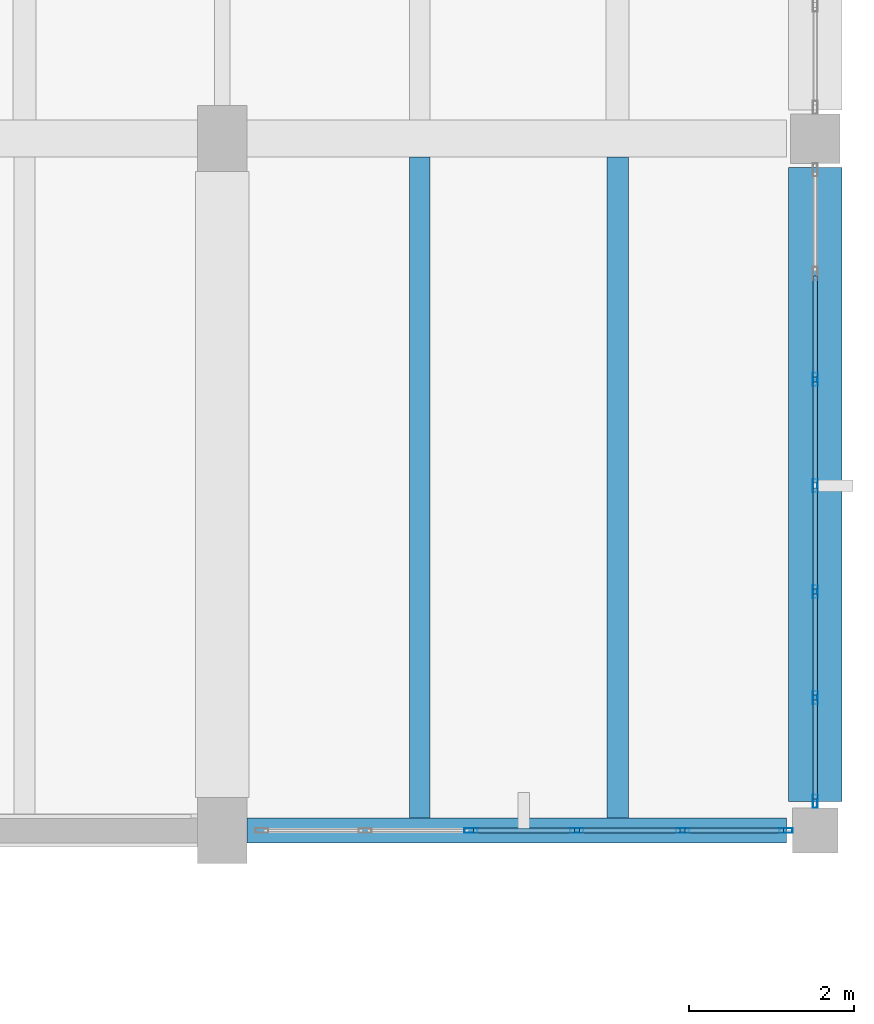
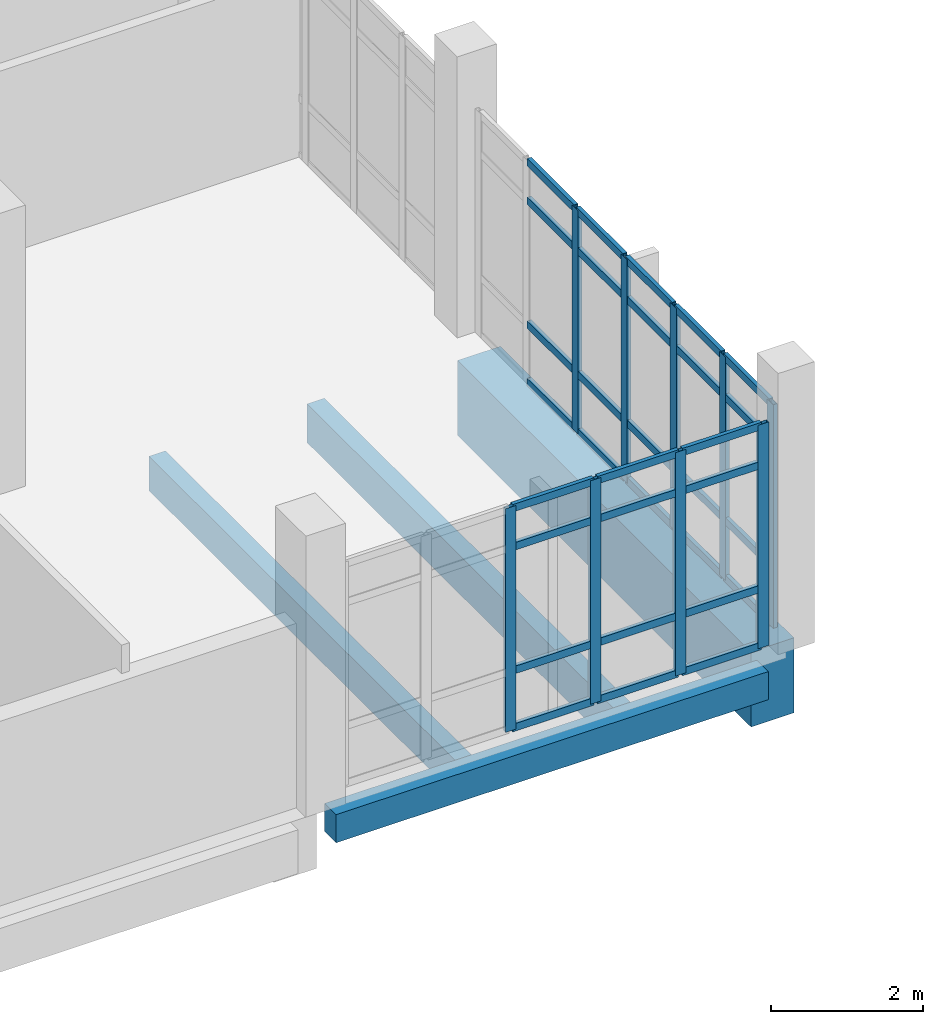
# One storey, part 72 of 116: 41 members, 4 beams, 2 elements without a shape of their own.
"""IFC4 building model written with IfcOpenShell, lengths in metres."""

from ifc_helpers import new_model, si_unit, direction, frame, origin, origin_2d, place, context, subcontext, project, spatial, rectangle, hollow_rectangle, extrude, material, material_profile, profile_set, type_object, element, aggregate, save


model = new_model("IFC4")

# Units and contexts
model_context = context("Model", 3, precision=1e-05, world=origin(), true_north=direction((0.0, 1.0)))
body_context = subcontext(model_context, "Body", "Model", "MODEL_VIEW")
ifc_project = project(units=[si_unit("LENGTHUNIT", "METRE"), si_unit("AREAUNIT", "SQUARE_METRE"), si_unit("VOLUMEUNIT", "CUBIC_METRE"), si_unit("PLANEANGLEUNIT", "RADIAN"), si_unit("MASSUNIT", "GRAM", prefix="KILO")], contexts=[model_context])

# Site, building, storey
site_placement = place(None, origin())
site = spatial("IfcSite", under=ifc_project, at=site_placement, CompositionType="ELEMENT")
building_placement = place(site_placement, origin())
building = spatial("IfcBuilding", under=site, at=building_placement, Name="Kalluvel Institute of Natural Sciences", CompositionType="ELEMENT")
storey_placement = place(building_placement, frame((0.0, 0.0, 14.39990234375)))
storey = spatial("IfcBuildingStorey", under=building, at=storey_placement, Name="L03", CompositionType="ELEMENT", Elevation=14.39990234375)

# Beam
ifc_material_1 = material(Name="Concrete M50", Category="concrete")
ifc_material_profile_1 = material_profile(ifc_material_1, rectangle(XDim=0.64990234375, YDim=1.199951171875, at=origin_2d()), Name="RCB 650x1200")
ifc_profile_set_1 = profile_set([ifc_material_profile_1], Name="Concrete M50")
beam_type_1 = type_object("IfcBeamType", Name="BM-RC650x1200", PredefinedType="BEAM", material=ifc_profile_set_1)
beam_1_placement = place(storey_placement, frame((114.800048828125, 103.14990234375, -0.919921875), z_axis=(0.0, 1.0, 0.0), x_axis=(-1.0, 0.0, 0.0)))
element("IfcBeam", 1, at=beam_1_placement, inside=storey, type_object=beam_type_1, Name="L03 girder GIR-L03-NS-X1148-Y1028", PredefinedType="BEAM", context=body_context, shape_type="SweptSolid", body=[
    extrude(rectangle(XDim=0.64990234375, YDim=1.199951171875, at=origin_2d()), origin(), (0.0, 0.0, 1.0), 7.7001953125),
])

# Curtain wall, members
ifc_material_2 = material(Name="Aluminium AW-6063 T6", Category="aluminium")
curtain_wall_type = type_object("IfcCurtainWallType", Name="CW-WET-45", PredefinedType="USERDEFINED", material=ifc_material_2)
curtain_wall_1_placement = place(storey_placement, origin())
curtain_wall_1 = element("IfcCurtainWall", 2, at=curtain_wall_1_placement, inside=storey, type_object=curtain_wall_type, Name="L03 Gothic lancet curtain wall CWA-L03-X1080-Y1028", ObjectType="UNITISED LANCET FACADE", PredefinedType="USERDEFINED")
ifc_material_profile_2 = material_profile(ifc_material_2, hollow_rectangle(XDim=0.06005859375, YDim=0.159912109375, WallThickness=0.00390625, at=origin_2d()), Name="CWM 60x160")
ifc_profile_set_2 = profile_set([ifc_material_profile_2], Name="Aluminium AW-6063 T6")
member_type_1 = type_object("IfcMemberType", Name="CWM-60x160", PredefinedType="MULLION", material=ifc_profile_set_2)
member_1_placement = place(storey_placement, frame((110.6201171875, 102.800048828125, 0.0), z_axis=(0.0, 0.0, 1.0), x_axis=(0.0, 1.0, 0.0)))
member_1 = element("IfcMember", 3, at=member_1_placement, type_object=member_type_1, Name="CW-01 mullion 3", PredefinedType="MULLION", context=body_context, shape_type="SweptSolid", body=[
    extrude(hollow_rectangle(XDim=0.06005859375, YDim=0.159912109375, WallThickness=0.00390625, at=origin_2d()), origin(), (0.0, 0.0, 1.0), 3.580078125),
])
member_2_placement = place(storey_placement, frame((111.905029296875, 102.800048828125, 0.0), z_axis=(0.0, 0.0, 1.0), x_axis=(0.0, 1.0, 0.0)))
member_2 = element("IfcMember", 4, at=member_2_placement, type_object=member_type_1, Name="CW-01 mullion 4", PredefinedType="MULLION", context=body_context, shape_type="SweptSolid", body=[
    extrude(hollow_rectangle(XDim=0.06005859375, YDim=0.159912109375, WallThickness=0.00390625, at=origin_2d()), origin(), (0.0, 0.0, 1.0), 3.580078125),
])
member_3_placement = place(storey_placement, frame((113.18994140625, 102.800048828125, 0.0), z_axis=(0.0, 0.0, 1.0), x_axis=(0.0, 1.0, 0.0)))
member_3 = element("IfcMember", 5, at=member_3_placement, type_object=member_type_1, Name="CW-01 mullion 5", PredefinedType="MULLION", context=body_context, shape_type="SweptSolid", body=[
    extrude(hollow_rectangle(XDim=0.06005859375, YDim=0.159912109375, WallThickness=0.00390625, at=origin_2d()), origin(), (0.0, 0.0, 1.0), 3.580078125),
])
member_4_placement = place(storey_placement, frame((114.445068359375, 102.800048828125, 0.0), z_axis=(0.0, 0.0, 1.0), x_axis=(0.0, 1.0, 0.0)))
member_4 = element("IfcMember", 6, at=member_4_placement, type_object=member_type_1, Name="CW-01 mullion 6", PredefinedType="MULLION", context=body_context, shape_type="SweptSolid", body=[
    extrude(hollow_rectangle(XDim=0.06005859375, YDim=0.159912109375, WallThickness=0.00390625, at=origin_2d()), origin(), (0.0, 0.0, 1.0), 3.580078125),
])

curtain_wall_2_placement = place(storey_placement, origin())
curtain_wall_2 = element("IfcCurtainWall", 7, at=curtain_wall_2_placement, inside=storey, type_object=curtain_wall_type, Name="L03 Gothic lancet curtain wall CWA-L03-X1148-Y1031", ObjectType="UNITISED LANCET FACADE", PredefinedType="USERDEFINED")
member_5_placement = place(storey_placement, frame((114.800048828125, 103.155029296875, 0.0), z_axis=(0.0, 0.0, 1.0), x_axis=(-1.0, 0.0, 0.0)))
member_5 = element("IfcMember", 8, at=member_5_placement, type_object=member_type_1, Name="CW-01 mullion 1", PredefinedType="MULLION", context=body_context, shape_type="SweptSolid", body=[
    extrude(hollow_rectangle(XDim=0.06005859375, YDim=0.159912109375, WallThickness=0.00390625, at=origin_2d()), origin(), (0.0, 0.0, 1.0), 3.580078125),
])
member_6_placement = place(storey_placement, frame((114.800048828125, 104.41259765625, 0.0), z_axis=(0.0, 0.0, 1.0), x_axis=(-1.0, 0.0, 0.0)))
member_6 = element("IfcMember", 9, at=member_6_placement, type_object=member_type_1, Name="CW-01 mullion 2", PredefinedType="MULLION", context=body_context, shape_type="SweptSolid", body=[
    extrude(hollow_rectangle(XDim=0.06005859375, YDim=0.159912109375, WallThickness=0.00390625, at=origin_2d()), origin(), (0.0, 0.0, 1.0), 3.580078125),
])
member_7_placement = place(storey_placement, frame((114.800048828125, 105.699951171875, 0.0), z_axis=(0.0, 0.0, 1.0), x_axis=(-1.0, 0.0, 0.0)))
member_7 = element("IfcMember", 10, at=member_7_placement, type_object=member_type_1, Name="CW-01 mullion 3", PredefinedType="MULLION", context=body_context, shape_type="SweptSolid", body=[
    extrude(hollow_rectangle(XDim=0.06005859375, YDim=0.159912109375, WallThickness=0.00390625, at=origin_2d()), origin(), (0.0, 0.0, 1.0), 3.580078125),
])
member_8_placement = place(storey_placement, frame((114.800048828125, 106.987548828125, 0.0), z_axis=(0.0, 0.0, 1.0), x_axis=(-1.0, 0.0, 0.0)))
member_8 = element("IfcMember", 11, at=member_8_placement, type_object=member_type_1, Name="CW-01 mullion 4", PredefinedType="MULLION", context=body_context, shape_type="SweptSolid", body=[
    extrude(hollow_rectangle(XDim=0.06005859375, YDim=0.159912109375, WallThickness=0.00390625, at=origin_2d()), origin(), (0.0, 0.0, 1.0), 3.580078125),
])
member_9_placement = place(storey_placement, frame((114.800048828125, 108.27490234375, 0.0), z_axis=(0.0, 0.0, 1.0), x_axis=(-1.0, 0.0, 0.0)))
member_9 = element("IfcMember", 12, at=member_9_placement, type_object=member_type_1, Name="CW-01 mullion 5", PredefinedType="MULLION", context=body_context, shape_type="SweptSolid", body=[
    extrude(hollow_rectangle(XDim=0.06005859375, YDim=0.159912109375, WallThickness=0.00390625, at=origin_2d()), origin(), (0.0, 0.0, 1.0), 3.580078125),
])

# Member
ifc_material_profile_3 = material_profile(ifc_material_2, hollow_rectangle(XDim=0.06005859375, YDim=0.1201171875, WallThickness=0.00390625, at=origin_2d()), Name="CWT 60x120")
ifc_profile_set_3 = profile_set([ifc_material_profile_3], Name="Aluminium AW-6063 T6")
member_type_2 = type_object("IfcMemberType", Name="CWT-60x120", PredefinedType="USERDEFINED", material=ifc_profile_set_3)
member_10_placement = place(storey_placement, frame((110.64990234375, 102.800048828125, 0.030029296875), z_axis=(1.0, 0.0, 0.0), x_axis=(0.0, 1.0, 0.0)))
member_10 = element("IfcMember", 13, at=member_10_placement, type_object=member_type_2, Name="CW-01 transom 3.1", ObjectType="TRANSOM", PredefinedType="USERDEFINED", context=body_context, shape_type="SweptSolid", body=[
    extrude(hollow_rectangle(XDim=0.06005859375, YDim=0.1201171875, WallThickness=0.00390625, at=origin_2d()), origin(), (0.0, 0.0, 1.0), 1.22509765625),
])

member_11_placement = place(storey_placement, frame((110.64990234375, 102.800048828125, 0.9501953125), z_axis=(1.0, 0.0, 0.0), x_axis=(0.0, 1.0, 0.0)))
member_11 = element("IfcMember", 14, at=member_11_placement, type_object=member_type_2, Name="CW-01 transom 3.2", ObjectType="TRANSOM", PredefinedType="USERDEFINED", context=body_context, shape_type="SweptSolid", body=[
    extrude(hollow_rectangle(XDim=0.06005859375, YDim=0.1201171875, WallThickness=0.00390625, at=origin_2d()), origin(), (0.0, 0.0, 1.0), 1.22509765625),
])

member_12_placement = place(storey_placement, frame((110.64990234375, 102.800048828125, 2.93017578125), z_axis=(1.0, 0.0, 0.0), x_axis=(0.0, 1.0, 0.0)))
member_12 = element("IfcMember", 15, at=member_12_placement, type_object=member_type_2, Name="CW-01 transom 3.3", ObjectType="TRANSOM", PredefinedType="USERDEFINED", context=body_context, shape_type="SweptSolid", body=[
    extrude(hollow_rectangle(XDim=0.06005859375, YDim=0.1201171875, WallThickness=0.00390625, at=origin_2d()), origin(), (0.0, 0.0, 1.0), 1.22509765625),
])

member_13_placement = place(storey_placement, frame((110.64990234375, 102.800048828125, 3.550048828125), z_axis=(1.0, 0.0, 0.0), x_axis=(0.0, 1.0, 0.0)))
member_13 = element("IfcMember", 16, at=member_13_placement, type_object=member_type_2, Name="CW-01 transom 3.4", ObjectType="TRANSOM", PredefinedType="USERDEFINED", context=body_context, shape_type="SweptSolid", body=[
    extrude(hollow_rectangle(XDim=0.06005859375, YDim=0.1201171875, WallThickness=0.00390625, at=origin_2d()), origin(), (0.0, 0.0, 1.0), 1.22509765625),
])

member_14_placement = place(storey_placement, frame((111.93505859375, 102.800048828125, 0.030029296875), z_axis=(1.0, 0.0, 0.0), x_axis=(0.0, 1.0, 0.0)))
member_14 = element("IfcMember", 17, at=member_14_placement, type_object=member_type_2, Name="CW-01 transom 4.1", ObjectType="TRANSOM", PredefinedType="USERDEFINED", context=body_context, shape_type="SweptSolid", body=[
    extrude(hollow_rectangle(XDim=0.06005859375, YDim=0.1201171875, WallThickness=0.00390625, at=origin_2d()), origin(), (0.0, 0.0, 1.0), 1.224853515625),
])

member_15_placement = place(storey_placement, frame((111.93505859375, 102.800048828125, 0.9501953125), z_axis=(1.0, 0.0, 0.0), x_axis=(0.0, 1.0, 0.0)))
member_15 = element("IfcMember", 18, at=member_15_placement, type_object=member_type_2, Name="CW-01 transom 4.2", ObjectType="TRANSOM", PredefinedType="USERDEFINED", context=body_context, shape_type="SweptSolid", body=[
    extrude(hollow_rectangle(XDim=0.06005859375, YDim=0.1201171875, WallThickness=0.00390625, at=origin_2d()), origin(), (0.0, 0.0, 1.0), 1.224853515625),
])

member_16_placement = place(storey_placement, frame((111.93505859375, 102.800048828125, 2.93017578125), z_axis=(1.0, 0.0, 0.0), x_axis=(0.0, 1.0, 0.0)))
member_16 = element("IfcMember", 19, at=member_16_placement, type_object=member_type_2, Name="CW-01 transom 4.3", ObjectType="TRANSOM", PredefinedType="USERDEFINED", context=body_context, shape_type="SweptSolid", body=[
    extrude(hollow_rectangle(XDim=0.06005859375, YDim=0.1201171875, WallThickness=0.00390625, at=origin_2d()), origin(), (0.0, 0.0, 1.0), 1.224853515625),
])

member_17_placement = place(storey_placement, frame((111.93505859375, 102.800048828125, 3.550048828125), z_axis=(1.0, 0.0, 0.0), x_axis=(0.0, 1.0, 0.0)))
member_17 = element("IfcMember", 20, at=member_17_placement, type_object=member_type_2, Name="CW-01 transom 4.4", ObjectType="TRANSOM", PredefinedType="USERDEFINED", context=body_context, shape_type="SweptSolid", body=[
    extrude(hollow_rectangle(XDim=0.06005859375, YDim=0.1201171875, WallThickness=0.00390625, at=origin_2d()), origin(), (0.0, 0.0, 1.0), 1.224853515625),
])

member_18_placement = place(storey_placement, frame((113.219970703125, 102.800048828125, 0.030029296875), z_axis=(1.0, 0.0, 0.0), x_axis=(0.0, 1.0, 0.0)))
member_18 = element("IfcMember", 21, at=member_18_placement, type_object=member_type_2, Name="CW-01 transom 5.1", ObjectType="TRANSOM", PredefinedType="USERDEFINED", context=body_context, shape_type="SweptSolid", body=[
    extrude(hollow_rectangle(XDim=0.06005859375, YDim=0.1201171875, WallThickness=0.00390625, at=origin_2d()), origin(), (0.0, 0.0, 1.0), 1.195068359375),
])

member_19_placement = place(storey_placement, frame((113.219970703125, 102.800048828125, 0.9501953125), z_axis=(1.0, 0.0, 0.0), x_axis=(0.0, 1.0, 0.0)))
member_19 = element("IfcMember", 22, at=member_19_placement, type_object=member_type_2, Name="CW-01 transom 5.2", ObjectType="TRANSOM", PredefinedType="USERDEFINED", context=body_context, shape_type="SweptSolid", body=[
    extrude(hollow_rectangle(XDim=0.06005859375, YDim=0.1201171875, WallThickness=0.00390625, at=origin_2d()), origin(), (0.0, 0.0, 1.0), 1.195068359375),
])

member_20_placement = place(storey_placement, frame((113.219970703125, 102.800048828125, 2.93017578125), z_axis=(1.0, 0.0, 0.0), x_axis=(0.0, 1.0, 0.0)))
member_20 = element("IfcMember", 23, at=member_20_placement, type_object=member_type_2, Name="CW-01 transom 5.3", ObjectType="TRANSOM", PredefinedType="USERDEFINED", context=body_context, shape_type="SweptSolid", body=[
    extrude(hollow_rectangle(XDim=0.06005859375, YDim=0.1201171875, WallThickness=0.00390625, at=origin_2d()), origin(), (0.0, 0.0, 1.0), 1.195068359375),
])

member_21_placement = place(storey_placement, frame((113.219970703125, 102.800048828125, 3.550048828125), z_axis=(1.0, 0.0, 0.0), x_axis=(0.0, 1.0, 0.0)))
member_21 = element("IfcMember", 24, at=member_21_placement, type_object=member_type_2, Name="CW-01 transom 5.4", ObjectType="TRANSOM", PredefinedType="USERDEFINED", context=body_context, shape_type="SweptSolid", body=[
    extrude(hollow_rectangle(XDim=0.06005859375, YDim=0.1201171875, WallThickness=0.00390625, at=origin_2d()), origin(), (0.0, 0.0, 1.0), 1.195068359375),
])

aggregate(curtain_wall_1, [member_1, member_2, member_3, member_4, member_10, member_11, member_12, member_13, member_14, member_15, member_16, member_17, member_18, member_19, member_20, member_21])

member_22_placement = place(storey_placement, frame((114.800048828125, 103.18505859375, 0.030029296875), z_axis=(0.0, 1.0, 0.0), x_axis=(-1.0, 0.0, 0.0)))
member_22 = element("IfcMember", 25, at=member_22_placement, type_object=member_type_2, Name="CW-01 transom 1.1", ObjectType="TRANSOM", PredefinedType="USERDEFINED", context=body_context, shape_type="SweptSolid", body=[
    extrude(hollow_rectangle(XDim=0.06005859375, YDim=0.1201171875, WallThickness=0.00390625, at=origin_2d()), origin(), (0.0, 0.0, 1.0), 1.197509765625),
])

member_23_placement = place(storey_placement, frame((114.800048828125, 103.18505859375, 0.9501953125), z_axis=(0.0, 1.0, 0.0), x_axis=(-1.0, 0.0, 0.0)))
member_23 = element("IfcMember", 26, at=member_23_placement, type_object=member_type_2, Name="CW-01 transom 1.2", ObjectType="TRANSOM", PredefinedType="USERDEFINED", context=body_context, shape_type="SweptSolid", body=[
    extrude(hollow_rectangle(XDim=0.06005859375, YDim=0.1201171875, WallThickness=0.00390625, at=origin_2d()), origin(), (0.0, 0.0, 1.0), 1.197509765625),
])

member_24_placement = place(storey_placement, frame((114.800048828125, 103.18505859375, 2.93017578125), z_axis=(0.0, 1.0, 0.0), x_axis=(-1.0, 0.0, 0.0)))
member_24 = element("IfcMember", 27, at=member_24_placement, type_object=member_type_2, Name="CW-01 transom 1.3", ObjectType="TRANSOM", PredefinedType="USERDEFINED", context=body_context, shape_type="SweptSolid", body=[
    extrude(hollow_rectangle(XDim=0.06005859375, YDim=0.1201171875, WallThickness=0.00390625, at=origin_2d()), origin(), (0.0, 0.0, 1.0), 1.197509765625),
])

member_25_placement = place(storey_placement, frame((114.800048828125, 103.18505859375, 3.550048828125), z_axis=(0.0, 1.0, 0.0), x_axis=(-1.0, 0.0, 0.0)))
member_25 = element("IfcMember", 28, at=member_25_placement, type_object=member_type_2, Name="CW-01 transom 1.4", ObjectType="TRANSOM", PredefinedType="USERDEFINED", context=body_context, shape_type="SweptSolid", body=[
    extrude(hollow_rectangle(XDim=0.06005859375, YDim=0.1201171875, WallThickness=0.00390625, at=origin_2d()), origin(), (0.0, 0.0, 1.0), 1.197509765625),
])

member_26_placement = place(storey_placement, frame((114.800048828125, 104.4423828125, 0.030029296875), z_axis=(0.0, 1.0, 0.0), x_axis=(-1.0, 0.0, 0.0)))
member_26 = element("IfcMember", 29, at=member_26_placement, type_object=member_type_2, Name="CW-01 transom 2.1", ObjectType="TRANSOM", PredefinedType="USERDEFINED", context=body_context, shape_type="SweptSolid", body=[
    extrude(hollow_rectangle(XDim=0.06005859375, YDim=0.1201171875, WallThickness=0.00390625, at=origin_2d()), origin(), (0.0, 0.0, 1.0), 1.2275390625),
])

member_27_placement = place(storey_placement, frame((114.800048828125, 104.4423828125, 0.9501953125), z_axis=(0.0, 1.0, 0.0), x_axis=(-1.0, 0.0, 0.0)))
member_27 = element("IfcMember", 30, at=member_27_placement, type_object=member_type_2, Name="CW-01 transom 2.2", ObjectType="TRANSOM", PredefinedType="USERDEFINED", context=body_context, shape_type="SweptSolid", body=[
    extrude(hollow_rectangle(XDim=0.06005859375, YDim=0.1201171875, WallThickness=0.00390625, at=origin_2d()), origin(), (0.0, 0.0, 1.0), 1.2275390625),
])

member_28_placement = place(storey_placement, frame((114.800048828125, 104.4423828125, 2.93017578125), z_axis=(0.0, 1.0, 0.0), x_axis=(-1.0, 0.0, 0.0)))
member_28 = element("IfcMember", 31, at=member_28_placement, type_object=member_type_2, Name="CW-01 transom 2.3", ObjectType="TRANSOM", PredefinedType="USERDEFINED", context=body_context, shape_type="SweptSolid", body=[
    extrude(hollow_rectangle(XDim=0.06005859375, YDim=0.1201171875, WallThickness=0.00390625, at=origin_2d()), origin(), (0.0, 0.0, 1.0), 1.2275390625),
])

member_29_placement = place(storey_placement, frame((114.800048828125, 104.4423828125, 3.550048828125), z_axis=(0.0, 1.0, 0.0), x_axis=(-1.0, 0.0, 0.0)))
member_29 = element("IfcMember", 32, at=member_29_placement, type_object=member_type_2, Name="CW-01 transom 2.4", ObjectType="TRANSOM", PredefinedType="USERDEFINED", context=body_context, shape_type="SweptSolid", body=[
    extrude(hollow_rectangle(XDim=0.06005859375, YDim=0.1201171875, WallThickness=0.00390625, at=origin_2d()), origin(), (0.0, 0.0, 1.0), 1.2275390625),
])

member_30_placement = place(storey_placement, frame((114.800048828125, 105.72998046875, 0.030029296875), z_axis=(0.0, 1.0, 0.0), x_axis=(-1.0, 0.0, 0.0)))
member_30 = element("IfcMember", 33, at=member_30_placement, type_object=member_type_2, Name="CW-01 transom 3.1", ObjectType="TRANSOM", PredefinedType="USERDEFINED", context=body_context, shape_type="SweptSolid", body=[
    extrude(hollow_rectangle(XDim=0.06005859375, YDim=0.1201171875, WallThickness=0.00390625, at=origin_2d()), origin(), (0.0, 0.0, 1.0), 1.2275390625),
])

member_31_placement = place(storey_placement, frame((114.800048828125, 105.72998046875, 0.9501953125), z_axis=(0.0, 1.0, 0.0), x_axis=(-1.0, 0.0, 0.0)))
member_31 = element("IfcMember", 34, at=member_31_placement, type_object=member_type_2, Name="CW-01 transom 3.2", ObjectType="TRANSOM", PredefinedType="USERDEFINED", context=body_context, shape_type="SweptSolid", body=[
    extrude(hollow_rectangle(XDim=0.06005859375, YDim=0.1201171875, WallThickness=0.00390625, at=origin_2d()), origin(), (0.0, 0.0, 1.0), 1.2275390625),
])

member_32_placement = place(storey_placement, frame((114.800048828125, 105.72998046875, 2.93017578125), z_axis=(0.0, 1.0, 0.0), x_axis=(-1.0, 0.0, 0.0)))
member_32 = element("IfcMember", 35, at=member_32_placement, type_object=member_type_2, Name="CW-01 transom 3.3", ObjectType="TRANSOM", PredefinedType="USERDEFINED", context=body_context, shape_type="SweptSolid", body=[
    extrude(hollow_rectangle(XDim=0.06005859375, YDim=0.1201171875, WallThickness=0.00390625, at=origin_2d()), origin(), (0.0, 0.0, 1.0), 1.2275390625),
])

member_33_placement = place(storey_placement, frame((114.800048828125, 105.72998046875, 3.550048828125), z_axis=(0.0, 1.0, 0.0), x_axis=(-1.0, 0.0, 0.0)))
member_33 = element("IfcMember", 36, at=member_33_placement, type_object=member_type_2, Name="CW-01 transom 3.4", ObjectType="TRANSOM", PredefinedType="USERDEFINED", context=body_context, shape_type="SweptSolid", body=[
    extrude(hollow_rectangle(XDim=0.06005859375, YDim=0.1201171875, WallThickness=0.00390625, at=origin_2d()), origin(), (0.0, 0.0, 1.0), 1.2275390625),
])

member_34_placement = place(storey_placement, frame((114.800048828125, 107.017578125, 0.030029296875), z_axis=(0.0, 1.0, 0.0), x_axis=(-1.0, 0.0, 0.0)))
member_34 = element("IfcMember", 37, at=member_34_placement, type_object=member_type_2, Name="CW-01 transom 4.1", ObjectType="TRANSOM", PredefinedType="USERDEFINED", context=body_context, shape_type="SweptSolid", body=[
    extrude(hollow_rectangle(XDim=0.06005859375, YDim=0.1201171875, WallThickness=0.00390625, at=origin_2d()), origin(), (0.0, 0.0, 1.0), 1.2275390625),
])

member_35_placement = place(storey_placement, frame((114.800048828125, 107.017578125, 0.9501953125), z_axis=(0.0, 1.0, 0.0), x_axis=(-1.0, 0.0, 0.0)))
member_35 = element("IfcMember", 38, at=member_35_placement, type_object=member_type_2, Name="CW-01 transom 4.2", ObjectType="TRANSOM", PredefinedType="USERDEFINED", context=body_context, shape_type="SweptSolid", body=[
    extrude(hollow_rectangle(XDim=0.06005859375, YDim=0.1201171875, WallThickness=0.00390625, at=origin_2d()), origin(), (0.0, 0.0, 1.0), 1.2275390625),
])

member_36_placement = place(storey_placement, frame((114.800048828125, 107.017578125, 2.93017578125), z_axis=(0.0, 1.0, 0.0), x_axis=(-1.0, 0.0, 0.0)))
member_36 = element("IfcMember", 39, at=member_36_placement, type_object=member_type_2, Name="CW-01 transom 4.3", ObjectType="TRANSOM", PredefinedType="USERDEFINED", context=body_context, shape_type="SweptSolid", body=[
    extrude(hollow_rectangle(XDim=0.06005859375, YDim=0.1201171875, WallThickness=0.00390625, at=origin_2d()), origin(), (0.0, 0.0, 1.0), 1.2275390625),
])

member_37_placement = place(storey_placement, frame((114.800048828125, 107.017578125, 3.550048828125), z_axis=(0.0, 1.0, 0.0), x_axis=(-1.0, 0.0, 0.0)))
member_37 = element("IfcMember", 40, at=member_37_placement, type_object=member_type_2, Name="CW-01 transom 4.4", ObjectType="TRANSOM", PredefinedType="USERDEFINED", context=body_context, shape_type="SweptSolid", body=[
    extrude(hollow_rectangle(XDim=0.06005859375, YDim=0.1201171875, WallThickness=0.00390625, at=origin_2d()), origin(), (0.0, 0.0, 1.0), 1.2275390625),
])

member_38_placement = place(storey_placement, frame((114.800048828125, 108.304931640625, 0.030029296875), z_axis=(0.0, 1.0, 0.0), x_axis=(-1.0, 0.0, 0.0)))
member_38 = element("IfcMember", 41, at=member_38_placement, type_object=member_type_2, Name="CW-01 transom 5.1", ObjectType="TRANSOM", PredefinedType="USERDEFINED", context=body_context, shape_type="SweptSolid", body=[
    extrude(hollow_rectangle(XDim=0.06005859375, YDim=0.1201171875, WallThickness=0.00390625, at=origin_2d()), origin(), (0.0, 0.0, 1.0), 1.2275390625),
])

member_39_placement = place(storey_placement, frame((114.800048828125, 108.304931640625, 0.9501953125), z_axis=(0.0, 1.0, 0.0), x_axis=(-1.0, 0.0, 0.0)))
member_39 = element("IfcMember", 42, at=member_39_placement, type_object=member_type_2, Name="CW-01 transom 5.2", ObjectType="TRANSOM", PredefinedType="USERDEFINED", context=body_context, shape_type="SweptSolid", body=[
    extrude(hollow_rectangle(XDim=0.06005859375, YDim=0.1201171875, WallThickness=0.00390625, at=origin_2d()), origin(), (0.0, 0.0, 1.0), 1.2275390625),
])

member_40_placement = place(storey_placement, frame((114.800048828125, 108.304931640625, 2.93017578125), z_axis=(0.0, 1.0, 0.0), x_axis=(-1.0, 0.0, 0.0)))
member_40 = element("IfcMember", 43, at=member_40_placement, type_object=member_type_2, Name="CW-01 transom 5.3", ObjectType="TRANSOM", PredefinedType="USERDEFINED", context=body_context, shape_type="SweptSolid", body=[
    extrude(hollow_rectangle(XDim=0.06005859375, YDim=0.1201171875, WallThickness=0.00390625, at=origin_2d()), origin(), (0.0, 0.0, 1.0), 1.2275390625),
])

member_41_placement = place(storey_placement, frame((114.800048828125, 108.304931640625, 3.550048828125), z_axis=(0.0, 1.0, 0.0), x_axis=(-1.0, 0.0, 0.0)))
member_41 = element("IfcMember", 44, at=member_41_placement, type_object=member_type_2, Name="CW-01 transom 5.4", ObjectType="TRANSOM", PredefinedType="USERDEFINED", context=body_context, shape_type="SweptSolid", body=[
    extrude(hollow_rectangle(XDim=0.06005859375, YDim=0.1201171875, WallThickness=0.00390625, at=origin_2d()), origin(), (0.0, 0.0, 1.0), 1.2275390625),
])

aggregate(curtain_wall_2, [member_5, member_6, member_7, member_8, member_9, member_22, member_23, member_24, member_25, member_26, member_27, member_28, member_29, member_30, member_31, member_32, member_33, member_34, member_35, member_36, member_37, member_38, member_39, member_40, member_41])

# Beams
ifc_material_3 = material(Name="Concrete M40", Category="concrete")
ifc_material_profile_4 = material_profile(ifc_material_3, rectangle(XDim=0.300048828125, YDim=0.449951171875, at=origin_2d()), Name="RCB 300x450")
ifc_profile_set_4 = profile_set([ifc_material_profile_4], Name="Concrete M40")
beam_type_2 = type_object("IfcBeamType", Name="SP-RC300x450", PredefinedType="SPANDREL", material=ifc_profile_set_4)
beam_2_placement = place(storey_placement, frame((107.89990234375, 102.800048828125, -0.544921875), z_axis=(1.0, 0.0, 0.0), x_axis=(0.0, 1.0, 0.0)))
element("IfcBeam", 45, at=beam_2_placement, inside=storey, type_object=beam_type_2, Name="L03 girder GIR-L03-EW-X1076-Y1028", PredefinedType="SPANDREL", context=body_context, shape_type="SweptSolid", body=[
    extrude(rectangle(XDim=0.300048828125, YDim=0.449951171875, at=origin_2d()), origin(), (0.0, 0.0, 1.0), 6.550048828125),
])
ifc_material_profile_5 = material_profile(ifc_material_3, rectangle(XDim=0.25, YDim=0.550048828125, at=origin_2d()), Name="WAF 250x550")
ifc_profile_set_5 = profile_set([ifc_material_profile_5], Name="Concrete M40")
beam_type_3 = type_object("IfcBeamType", Name="WJ-250x550", PredefinedType="JOIST", material=ifc_profile_set_5)
beam_3_placement = place(storey_placement, frame((110.0, 102.949951171875, -0.594970703125), z_axis=(0.0, 1.0, 0.0), x_axis=(-1.0, 0.0, 0.0)))
element("IfcBeam", 46, at=beam_3_placement, inside=storey, type_object=beam_type_3, Name="L03 waffle joist RIB-L03-0287", PredefinedType="JOIST", context=body_context, shape_type="SweptSolid", body=[
    extrude(rectangle(XDim=0.25, YDim=0.550048828125, at=origin_2d()), origin(), (0.0, 0.0, 1.0), 8.025146484375),
])
ifc_material_profile_6 = material_profile(ifc_material_1, rectangle(XDim=0.260009765625, YDim=0.6201171875, at=origin_2d()), Name="WAF 260x620")
ifc_profile_set_6 = profile_set([ifc_material_profile_6], Name="Concrete M50")
beam_type_4 = type_object("IfcBeamType", Name="WJ-260x620", PredefinedType="JOIST", material=ifc_profile_set_6)
beam_4_placement = place(storey_placement, frame((112.39990234375, 102.949951171875, -0.6298828125), z_axis=(0.0, 1.0, 0.0), x_axis=(-1.0, 0.0, 0.0)))
element("IfcBeam", 47, at=beam_4_placement, inside=storey, type_object=beam_type_4, Name="L03 waffle joist RIB-L03-0288", PredefinedType="JOIST", context=body_context, shape_type="SweptSolid", body=[
    extrude(rectangle(XDim=0.260009765625, YDim=0.6201171875, at=origin_2d()), origin(), (0.0, 0.0, 1.0), 8.025146484375),
])

save(model, "model.ifc")
